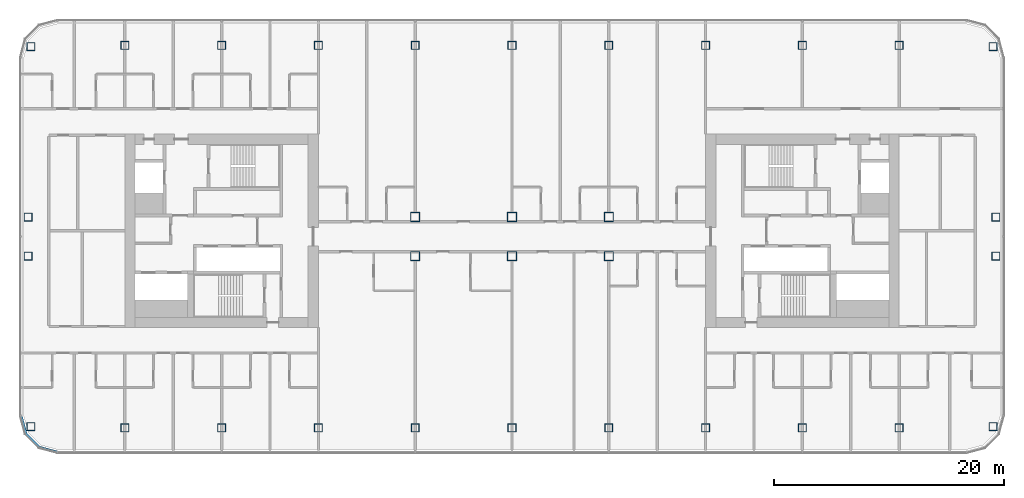
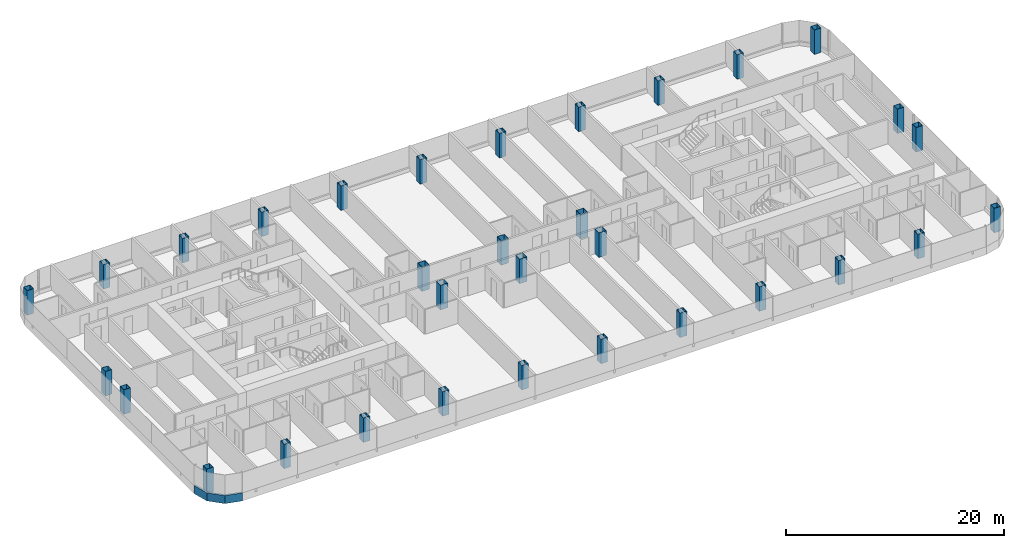
# One storey, part 1 of 26: 32 columns, 1 member, 1 element without a shape of its own.
"""IFC4 building model written with IfcOpenShell, lengths in metres."""

from ifc_helpers import new_model, si_unit, direction, frame, origin, origin_2d, place, context, subcontext, project, spatial, polyline, rectangle, hollow_rectangle, outline, extrude, material, layer, layer_set, material_profile, profile_set, type_object, element, aggregate, save


model = new_model("IFC4")

# Units and contexts
model_context = context("Model", 3, precision=1e-05, world=origin(), true_north=direction((0.0, 1.0)))
body_context = subcontext(model_context, "Body", "Model", "MODEL_VIEW")
ifc_project = project(units=[si_unit("LENGTHUNIT", "METRE"), si_unit("AREAUNIT", "SQUARE_METRE"), si_unit("VOLUMEUNIT", "CUBIC_METRE"), si_unit("PLANEANGLEUNIT", "RADIAN"), si_unit("MASSUNIT", "GRAM", prefix="KILO")], contexts=[model_context])

# Site, building, storey
site_placement = place(None, origin())
site = spatial("IfcSite", under=ifc_project, at=site_placement, CompositionType="ELEMENT")
building_placement = place(site_placement, origin())
building = spatial("IfcBuilding", under=site, at=building_placement, Name="Hakoniwa Tower and Hamabe Station Hall", CompositionType="ELEMENT")
storey_placement = place(building_placement, frame((0.0, 0.0, 134.199951171875)))
storey = spatial("IfcBuildingStorey", under=building, at=storey_placement, Name="L37", CompositionType="ELEMENT", Elevation=134.199951171875)

# Columns
ifc_material_1 = material(Name="Steel SN490C", Category="steel")
ifc_material_profile_1 = material_profile(ifc_material_1, hollow_rectangle(XDim=0.699951171875, YDim=0.699951171875, WallThickness=0.028076171875, at=origin_2d()), Name="BX-700x700x28")
ifc_profile_set_1 = profile_set([ifc_material_profile_1], Name="Steel SN490C")
column_type_1 = type_object("IfcColumnType", Name="COLUMN BX-700x700x28", PredefinedType="COLUMN", material=ifc_profile_set_1)
for number, where, z_axis, x_axis, name in (
    (1, (-41.74853515625, -16.99365234375, 0.0), (0.0, 0.0, 1.0), (1.0, 0.0, 0.0), "Column B3-2-A3"),
    (2, (-42.0, -2.199951171875, 0.0), (0.0, 0.0, 1.0), (1.0, 0.0, 0.0), "Column B3-2-C3"),
    (3, (-42.0, 1.199951171875, 0.0), (0.0, 0.0, 1.0), (1.0, 0.0, 0.0), "Column B3-2-D3"),
    (4, (-41.74853515625, 15.99365234375, 0.0), (0.0, 0.0, 1.0), (1.0, 0.0, 0.0), "Column B3-2-F3"),
    (5, (-33.60009765625, -17.10009765625, 0.0), (0.0, 0.0, 1.0), (1.0, 0.0, 0.0), "Column B3-3-A3"),
    (6, (-33.60009765625, 16.10009765625, 0.0), (0.0, 0.0, 1.0), (1.0, 0.0, 0.0), "Column B3-3-F3"),
    (7, (-25.199951171875, -17.10009765625, 0.0), (0.0, 0.0, 1.0), (1.0, 0.0, 0.0), "Column B3-4-A3"),
    (8, (-25.199951171875, 16.10009765625, 0.0), (0.0, 0.0, 1.0), (1.0, 0.0, 0.0), "Column B3-4-F3"),
    (9, (-16.800048828125, -17.10009765625, 0.0), (0.0, 0.0, 1.0), (1.0, 0.0, 0.0), "Column B3-5-A3"),
    (10, (-16.800048828125, 16.10009765625, 0.0), (0.0, 0.0, 1.0), (1.0, 0.0, 0.0), "Column B3-5-F3"),
    (11, (-8.39990234375, -17.10009765625, 0.0), (0.0, 0.0, 1.0), (1.0, 0.0, 0.0), "Column B3-6-A3"),
    (12, (-8.39990234375, 16.10009765625, 0.0), (0.0, 0.0, 1.0), (1.0, 0.0, 0.0), "Column B3-6-F3"),
    (13, (0.0, -17.10009765625, 0.0), (0.0, 0.0, 1.0), (1.0, 0.0, 0.0), "Column B3-7-A3"),
    (14, (0.0, 16.10009765625, 0.0), (0.0, 0.0, 1.0), (1.0, 0.0, 0.0), "Column B3-7-F3"),
    (15, (8.39990234375, -17.10009765625, 0.0), (0.0, 0.0, 1.0), (1.0, 0.0, 0.0), "Column B3-8-A3"),
    (16, (8.39990234375, 16.10009765625, 0.0), (0.0, 0.0, 1.0), (1.0, 0.0, 0.0), "Column B3-8-F3"),
    (17, (16.800048828125, -17.10009765625, 0.0), (0.0, 0.0, 1.0), (1.0, 0.0, 0.0), "Column B3-9-A3"),
    (18, (16.800048828125, 16.10009765625, 0.0), (0.0, 0.0, 1.0), (1.0, 0.0, 0.0), "Column B3-9-F3"),
    (19, (25.199951171875, -17.10009765625, 0.0), (0.0, 0.0, 1.0), (1.0, 0.0, 0.0), "Column B3-10-A3"),
    (20, (25.199951171875, 16.10009765625, 0.0), (0.0, 0.0, 1.0), (1.0, 0.0, 0.0), "Column B3-10-F3"),
    (21, (33.60009765625, -17.10009765625, 0.0), (0.0, 0.0, 1.0), (1.0, 0.0, 0.0), "Column B3-11-A3"),
    (22, (33.60009765625, 16.10009765625, 0.0), (0.0, 0.0, 1.0), (1.0, 0.0, 0.0), "Column B3-11-F3"),
    (23, (41.74853515625, -16.99365234375, 0.0), (0.0, 0.0, 1.0), (1.0, 0.0, 0.0), "Column B3-12-A3"),
    (24, (42.0, -2.199951171875, 0.0), (0.0, 0.0, 1.0), (1.0, 0.0, 0.0), "Column B3-12-C3"),
    (25, (42.0, 1.199951171875, 0.0), (0.0, 0.0, 1.0), (1.0, 0.0, 0.0), "Column B3-12-D3"),
    (26, (41.74853515625, 15.99365234375, 0.0), (0.0, 0.0, 1.0), (1.0, 0.0, 0.0), "Column B3-12-F3"),
):
    element("IfcColumn", number, at=place(storey_placement, frame(where, z_axis=z_axis, x_axis=x_axis)), inside=storey, type_object=column_type_1, Name=name, PredefinedType="COLUMN", context=body_context, shape_type="SweptSolid", body=[
        extrude(hollow_rectangle(XDim=0.699951171875, YDim=0.699951171875, WallThickness=0.028076171875, at=origin_2d()), origin(), (0.0, 0.0, 1.0), 2.75),
    ])
ifc_material_2 = material(Name="Steel SN490C", Category="steel")
ifc_material_profile_2 = material_profile(ifc_material_2, hollow_rectangle(XDim=0.800048828125, YDim=0.800048828125, WallThickness=0.031982421875, at=origin_2d()), Name="BX-800x800x32")
ifc_profile_set_2 = profile_set([ifc_material_profile_2], Name="Steel SN490C")
column_type_2 = type_object("IfcColumnType", Name="COLUMN BX-800x800x32", PredefinedType="COLUMN", material=ifc_profile_set_2)
for number, where, z_axis, x_axis, name in (
    (27, (-8.39990234375, -2.199951171875, 0.0), (0.0, 0.0, 1.0), (1.0, 0.0, 0.0), "Column B3-6-C3"),
    (28, (-8.39990234375, 1.199951171875, 0.0), (0.0, 0.0, 1.0), (1.0, 0.0, 0.0), "Column B3-6-D3"),
    (29, (0.0, -2.199951171875, 0.0), (0.0, 0.0, 1.0), (1.0, 0.0, 0.0), "Column B3-7-C3"),
    (30, (0.0, 1.199951171875, 0.0), (0.0, 0.0, 1.0), (1.0, 0.0, 0.0), "Column B3-7-D3"),
    (31, (8.39990234375, -2.199951171875, 0.0), (0.0, 0.0, 1.0), (1.0, 0.0, 0.0), "Column B3-8-C3"),
    (32, (8.39990234375, 1.199951171875, 0.0), (0.0, 0.0, 1.0), (1.0, 0.0, 0.0), "Column B3-8-D3"),
):
    element("IfcColumn", number, at=place(storey_placement, frame(where, z_axis=z_axis, x_axis=x_axis)), inside=storey, type_object=column_type_2, Name=name, PredefinedType="COLUMN", context=body_context, shape_type="SweptSolid", body=[
        extrude(hollow_rectangle(XDim=0.800048828125, YDim=0.800048828125, WallThickness=0.031982421875, at=origin_2d()), origin(), (0.0, 0.0, 1.0), 2.75),
    ])

# Curtain wall, member
ifc_material_3 = material(Name="Dark low-e laminated glass", Category="glass")
ifc_layer = layer(ifc_material_3, 0.199951171875)
ifc_layer_set = layer_set([ifc_layer], Name="CW-1 UNITISED GUEST")
curtain_wall_type = type_object("IfcCurtainWallType", Name="CW-1 UNITISED GUEST", PredefinedType="NOTDEFINED", material=ifc_layer_set)
curtain_wall_placement = place(storey_placement, origin())
curtain_wall = element("IfcCurtainWall", 33, at=curtain_wall_placement, inside=storey, type_object=curtain_wall_type, Name="CW-1 curtain wall", PredefinedType="NOTDEFINED")
ifc_material_4 = material(Name="Aluminium 6063-T5 black anodised", Category="aluminium")
ifc_material_profile_3 = material_profile(ifc_material_4, rectangle(XDim=0.199951171875, YDim=0.89990234375, at=origin_2d()), Name="CW SLAB-EDGE BAND 900X200")
ifc_profile_set_3 = profile_set([ifc_material_profile_3], Name="Aluminium 6063-T5 black anodised")
member_type = type_object("IfcMemberType", Name="CW SLAB-EDGE BAND 900X200", PredefinedType="USERDEFINED", material=ifc_profile_set_3)
member_placement = place(storey_placement, frame((0.0, 0.0, -0.550048828125)))
member = element("IfcMember", 34, at=member_placement, type_object=member_type, Name="CW-1 transom", ObjectType="TRANSOM", PredefinedType="USERDEFINED", context=body_context, shape_type="SweptSolid", body=[
    extrude(outline(polyline([(-42.699951171875, -16.03955078125), (-42.26708984375, -17.6552734375), (-41.05517578125, -18.866943359375), (-39.439453125, -19.300048828125), (-39.3876953125, -19.10693359375), (-40.95166015625, -18.687744140625), (-42.087646484375, -17.5517578125), (-42.5068359375, -15.98779296875), (-42.699951171875, -16.03955078125)])), origin(), (0.0, 0.0, 1.0), 0.900146484375),
])
aggregate(curtain_wall, [member])

save(model, "model.ifc")
